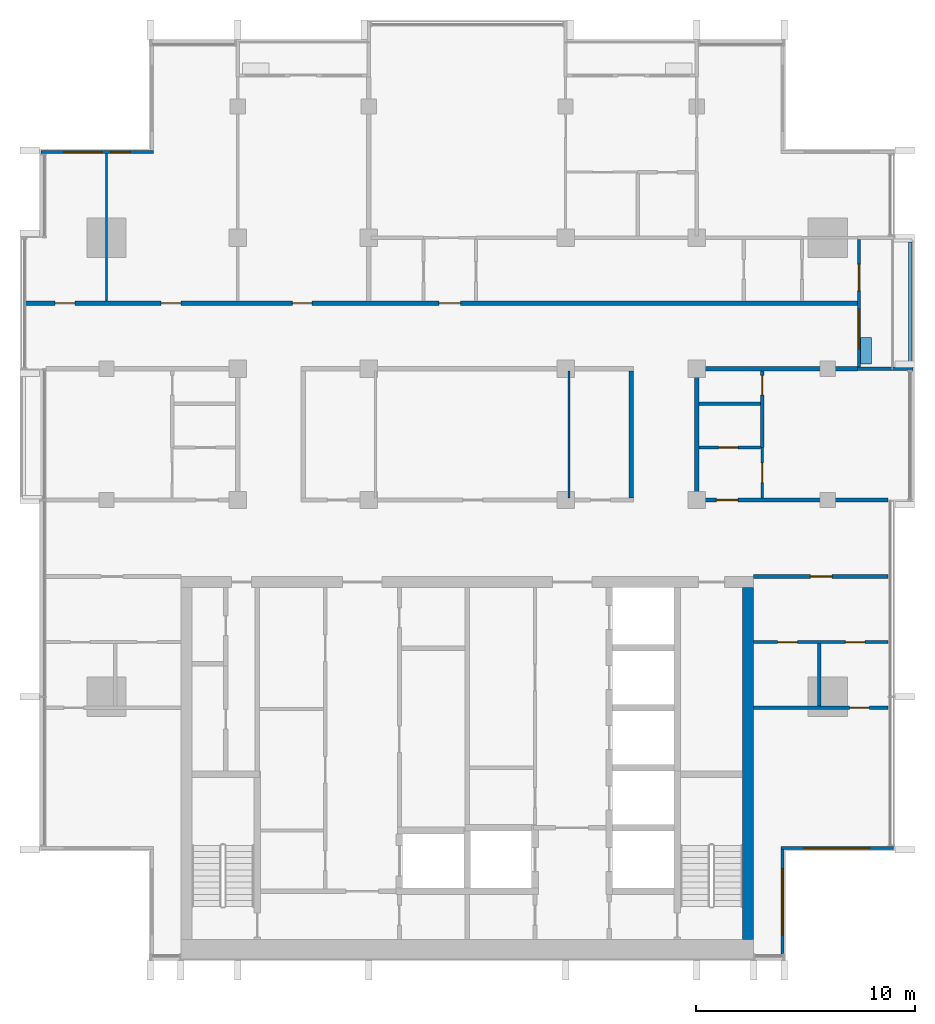
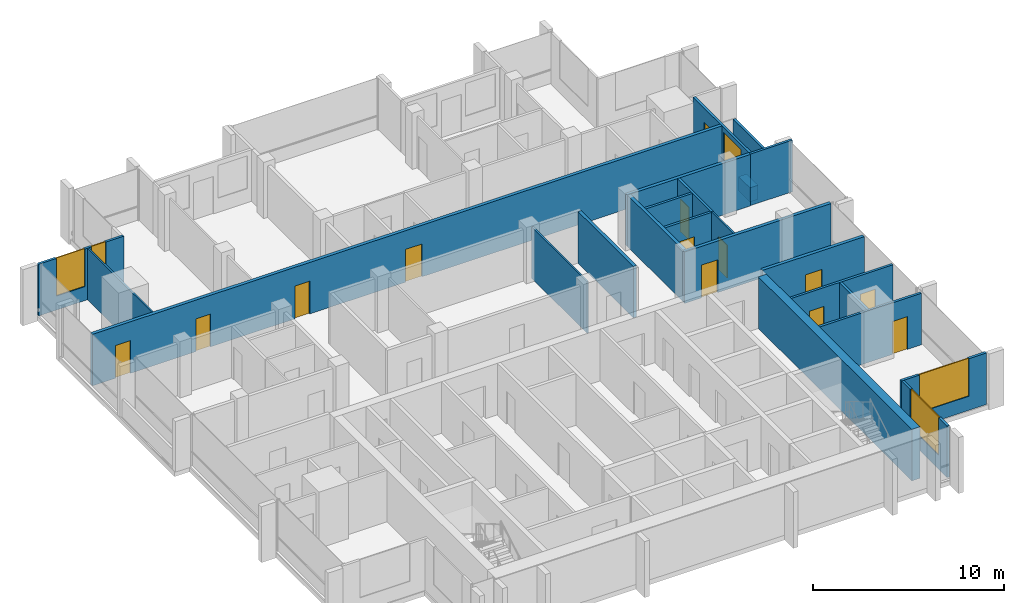
# One storey, part 9 of 16: 23 walls, 13 doors, 5 windows, 18 openings.
"""IFC4 building model written with IfcOpenShell, lengths in metres."""

import ifcopenshell
import ifcopenshell.guid

model = None  # the IFC model being written
_history = None  # IfcOwnerHistory: only IFC2X3 demands one
_inside = {}  # id of a spatial element -> (the spatial element, [elements in it])
_under = {}  # id of a project, library or spatial element -> (it, [spatial elements below it])
_declared = {}  # id of a project -> (the project, [libraries it declares])
_typed = {}  # id of a type object -> (the type object, [elements of that type])
_made_of = {}  # id of a material, layer set ... -> (it, [elements and type objects made of it])


def new_model(schema):
    """Start an empty IFC model of exactly this schema.

    Asked for "IFC4X3", IfcOpenShell would pick the latest addendum, in which some entities
    have other attributes; the version numbers below select the first issue.
    IFC2X3 requires an IfcOwnerHistory on every rooted entity: one is made here for all.
    """
    global model, _history
    if schema == "IFC4X3":
        model = ifcopenshell.file(schema_version=(4, 3, 0, 0))
    else:
        model = ifcopenshell.file(schema=schema)
    _inside.clear()
    _under.clear()
    _declared.clear()
    _typed.clear()
    _made_of.clear()
    _history = None
    if model.schema == "IFC2X3":
        org = make("IfcOrganization", Name="unknown")
        user = make(
            "IfcPersonAndOrganization",
            ThePerson=make("IfcPerson", FamilyName="unknown"),
            TheOrganization=org,
        )
        app = make(
            "IfcApplication",
            ApplicationDeveloper=org,
            Version="unknown",
            ApplicationFullName="unknown",
            ApplicationIdentifier="unknown",
        )
        _history = make(
            "IfcOwnerHistory",
            OwningUser=user,
            OwningApplication=app,
            ChangeAction="ADDED",
            CreationDate=0,
        )
    return model


def make(cls, **values):
    """One entity of the class cls with the attributes given. An attribute that is None is left unset."""
    return model.create_entity(
        cls, **{name: value for name, value in values.items() if value is not None}
    )


def rooted(cls, **values):
    """An entity with a GlobalId (a new one), such as an element, a storey or a relation."""
    return make(cls, GlobalId=ifcopenshell.guid.new(), OwnerHistory=_history, **values)


def si_unit(unit_type, name, prefix=None):
    """IfcSIUnit, for example si_unit("LENGTHUNIT", "METRE", prefix="MILLI")."""
    return make("IfcSIUnit", UnitType=unit_type, Prefix=prefix, Name=name)


def assignment(units):
    """IfcUnitAssignment: the units of a project."""
    return None if units is None else make("IfcUnitAssignment", Units=units)


def point(xyz):
    """IfcCartesianPoint."""
    return None if xyz is None else make("IfcCartesianPoint", Coordinates=xyz)


def direction(xyz):
    """IfcDirection."""
    return None if xyz is None else make("IfcDirection", DirectionRatios=xyz)


def frame(location, z_axis=None, x_axis=None):
    """IfcAxis2Placement3D, a coordinate frame: its origin and axes. An axis left out is left unset."""
    return make(
        "IfcAxis2Placement3D",
        Location=point(location),
        Axis=direction(z_axis),
        RefDirection=direction(x_axis),
    )


def frame_2d(location, x_axis=None):
    """IfcAxis2Placement2D, a coordinate frame in the plane: its origin and x axis."""
    return make(
        "IfcAxis2Placement2D", Location=point(location), RefDirection=direction(x_axis)
    )


def origin():
    """The frame at (0, 0, 0) with its axes left unset."""
    return frame((0.0, 0.0, 0.0))


def place(relative_to, where):
    """IfcLocalPlacement: puts the frame where relative to a parent placement (None: the world)."""
    return make(
        "IfcLocalPlacement", PlacementRelTo=relative_to, RelativePlacement=where
    )


def context(
    kind, dimensions, precision=None, world=None, true_north=None, identifier=None
):
    """IfcGeometricRepresentationContext, for example the 3D "Model" context."""
    return make(
        "IfcGeometricRepresentationContext",
        ContextIdentifier=identifier,
        ContextType=kind,
        CoordinateSpaceDimension=dimensions,
        Precision=precision,
        WorldCoordinateSystem=world,
        TrueNorth=true_north,
    )


def subcontext(parent, identifier, kind, view, scale=None):
    """IfcGeometricRepresentationSubContext, for example "Body" below "Model"."""
    return make(
        "IfcGeometricRepresentationSubContext",
        ContextIdentifier=identifier,
        ContextType=kind,
        ParentContext=parent,
        TargetScale=scale,
        TargetView=view,
    )


def project(units=None, contexts=None):
    """IfcProject with its units and contexts."""
    return rooted(
        "IfcProject",
        Name="project",
        RepresentationContexts=contexts,
        UnitsInContext=assignment(units),
    )


def spatial(cls, under=None, at=None, **own):
    """A site, building, storey or space (cls), placed at a placement, below another one or the project."""
    s = rooted(cls, ObjectPlacement=at, **own)
    if under is not None:
        _under.setdefault(under.id(), (under, []))[1].append(s)
    return s


def profile(cls, at=None, kind="AREA", **sizes):
    """A parametric profile (cls). Its sizes go by their IFC names, for example OverallWidth=200.0."""
    return make(cls, ProfileType=kind, Position=at, **sizes)


def rectangle(**sizes):
    """IfcRectangleProfileDef."""
    return profile("IfcRectangleProfileDef", **sizes)


def extrude(swept, where, along, depth):
    """IfcExtrudedAreaSolid: the profile swept, set in the frame where, extruded along a direction by depth."""
    return make(
        "IfcExtrudedAreaSolid",
        SweptArea=swept,
        Position=where,
        ExtrudedDirection=direction(along),
        Depth=depth,
    )


def shape(context_of_items, identifier, shape_type, items):
    """IfcShapeRepresentation: the items that make up one representation, for example the "Body"."""
    return make(
        "IfcShapeRepresentation",
        ContextOfItems=context_of_items,
        RepresentationIdentifier=identifier,
        RepresentationType=shape_type,
        Items=items,
    )


def material(Name=None, Category=None):
    """IfcMaterial."""
    return make("IfcMaterial", Name=Name, Category=Category)


def layer(
    of_material, thickness, ventilated=None, Name=None, Category=None, Priority=None
):
    """IfcMaterialLayer: one layer of a wall or slab, of a material (None: an air gap)."""
    return make(
        "IfcMaterialLayer",
        Material=of_material,
        LayerThickness=thickness,
        IsVentilated=ventilated,
        Name=Name,
        Category=Category,
        Priority=Priority,
    )


def layer_set(layers, Name=None):
    """IfcMaterialLayerSet."""
    return make("IfcMaterialLayerSet", MaterialLayers=layers, LayerSetName=Name)


def made_of(thing, what):
    """Note that an element or type object is made of a material, layer set ...; save() writes the relation."""
    if what is not None:
        _made_of.setdefault(what.id(), (what, []))[1].append(thing)
    return thing


def type_object(cls, material=None, **own):
    """A type object (cls), such as IfcWallType, which elements share."""
    return made_of(rooted(cls, **own), material)


def element(
    cls,
    number,
    at=None,
    inside=None,
    cuts=None,
    type_object=None,
    material=None,
    context=None,
    identifier="Body",
    shape_type=None,
    held_by="IfcProductDefinitionShape",
    body=None,
    shapes=None,
    **own,
):
    """One element of the class cls, such as IfcWall. Its Tag is "e" and its number.

    at: its placement. inside: the storey or other place that contains it. cuts: it is an
    opening in that element (IfcRelVoidsElement). A single representation is given by context,
    identifier, shape_type and body (its items); several are given by shapes. held_by: the class
    of the entity that holds the representations. save() writes the other relations.
    """
    e = rooted(cls, Tag="e%d" % number, ObjectPlacement=at, **own)
    if body is not None:
        shapes = [shape(context, identifier, shape_type, body)]
    if shapes is not None:
        e.Representation = make(held_by, Representations=shapes)
    if inside is not None:
        _inside.setdefault(inside.id(), (inside, []))[1].append(e)
    if cuts is not None:
        rooted(
            "IfcRelVoidsElement", RelatingBuildingElement=cuts, RelatedOpeningElement=e
        )
    if type_object is not None:
        _typed.setdefault(type_object.id(), (type_object, []))[1].append(e)
    return made_of(e, material)


def fill(opening, filler):
    """IfcRelFillsElement: the door or window that sits in an opening."""
    return rooted(
        "IfcRelFillsElement",
        RelatingOpeningElement=opening,
        RelatedBuildingElement=filler,
    )


def aggregate(whole, parts):
    """IfcRelAggregates: a whole, such as a stair, and the parts it consists of."""
    return rooted("IfcRelAggregates", RelatingObject=whole, RelatedObjects=parts)


def save(model, path):
    """Write the relations noted so far, then the file.

    IfcRelAggregates (storeys below a building ...), IfcRelContainedInSpatialStructure (elements
    in a storey), IfcRelDefinesByType, IfcRelAssociatesMaterial and IfcRelDeclares: one each for
    every whole, place, type object, material and project.
    """
    for whole, parts in _under.values():
        aggregate(whole, parts)
    for where, things in _inside.values():
        rooted(
            "IfcRelContainedInSpatialStructure",
            RelatedElements=things,
            RelatingStructure=where,
        )
    for kind, things in _typed.values():
        rooted("IfcRelDefinesByType", RelatedObjects=things, RelatingType=kind)
    for what, things in _made_of.values():
        rooted("IfcRelAssociatesMaterial", RelatedObjects=things, RelatingMaterial=what)
    for by, libraries in _declared.values():
        rooted("IfcRelDeclares", RelatingContext=by, RelatedDefinitions=libraries)
    model.write(path)


model = new_model("IFC4")

# Units and contexts
model_context = context("Model", 3, precision=1e-05, world=origin(), true_north=direction((0.0, 1.0)))
body_context = subcontext(model_context, "Body", "Model", "MODEL_VIEW")
ifc_project = project(units=[si_unit("LENGTHUNIT", "METRE"), si_unit("AREAUNIT", "SQUARE_METRE"), si_unit("VOLUMEUNIT", "CUBIC_METRE"), si_unit("PLANEANGLEUNIT", "RADIAN"), si_unit("MASSUNIT", "GRAM", prefix="KILO")], contexts=[model_context])

# Site, building, storey
site_placement = place(None, origin())
site = spatial("IfcSite", under=ifc_project, at=site_placement, CompositionType="ELEMENT")
building_placement = place(site_placement, origin())
building = spatial("IfcBuilding", under=site, at=building_placement, Name="Finial Court Residences", CompositionType="ELEMENT")
storey_placement = place(building_placement, frame((0.0, 0.0, 259.10009765625)))
storey = spatial("IfcBuildingStorey", under=building, at=storey_placement, Name="L65", CompositionType="ELEMENT", Elevation=259.10009765625)

# Wall
ifc_material_1 = material(Name="Concrete C50/60", Category="concrete")
ifc_layer_1 = layer(ifc_material_1, 0.5)
ifc_layer_set_1 = layer_set([ifc_layer_1], Name="Core outer wall 500 Concrete C50/60")
wall_type_1 = type_object("IfcWallType", Name="Core outer wall 500 Concrete C50/60", PredefinedType="SHEAR", material=ifc_layer_set_1)
wall_1_placement = place(storey_placement, frame((12.85009765625, -24.60009765625, 0.0), z_axis=(0.0, 0.0, 1.0), x_axis=(0.0, 1.0, 0.0)))
element("IfcWall", 1, at=wall_1_placement, inside=storey, type_object=wall_type_1, Name="Core outer wall L65-04", PredefinedType="SHEAR", context=body_context, shape_type="SweptSolid", body=[
    extrude(rectangle(XDim=16.10009765625, YDim=0.5, at=frame_2d((8.050048828125, 0.0))), origin(), (0.0, 0.0, 1.0), 3.2998046875),
])

# Wall, opening, door
ifc_material_2 = material(Name="Gypsum board")
ifc_layer_2 = layer(ifc_material_2, 0.02490234375)
ifc_material_3 = material(Name="Acoustic mineral wool in double frame")
ifc_layer_3 = layer(ifc_material_3, 0.14990234375)
ifc_layer_4 = layer(ifc_material_2, 0.02490234375)
ifc_layer_set_2 = layer_set([ifc_layer_2, ifc_layer_3, ifc_layer_4], Name="Corridor wall 200, 1 hour")
wall_type_2 = type_object("IfcWallType", Name="Corridor wall 200, 1 hour", PredefinedType="PARTITIONING", material=ifc_layer_set_2)
wall_2_placement = place(storey_placement, frame((13.10009765625, -8.0, 0.0), z_axis=(0.0, 0.0, 1.0), x_axis=(1.0, 0.0, 0.0)))
wall_2 = element("IfcWall", 2, at=wall_2_placement, inside=storey, type_object=wall_type_2, Name="Partition L65-005", PredefinedType="PARTITIONING", context=body_context, shape_type="SweptSolid", body=[
    extrude(rectangle(XDim=6.162353515625, YDim=0.199951171875, at=frame_2d((3.0810546875, 0.0))), origin(), (0.0, 0.0, 1.0), 3.2998046875),
])
opening_1_placement = place(wall_2_placement, frame((2.60009765625, 0.0, 0.0)))
opening_1 = element("IfcOpeningElement", 3, at=opening_1_placement, cuts=wall_2, Name="Opening L65-D008", PredefinedType="OPENING", context=body_context, shape_type="SweptSolid", body=[
    extrude(rectangle(XDim=1.0, YDim=2.10009765625, at=frame_2d((0.5, 1.050048828125))), frame((0.0, 0.10986328125, 0.0), z_axis=(0.0, -1.0, 0.0), x_axis=(1.0, 0.0, 0.0)), (0.0, 0.0, 1.0), 0.219970703125),
])
ifc_material_4 = material(Name="Timber door leaf in hollow metal frame", Category="wood")
door_type_1 = type_object("IfcDoorType", Name="Fire door set 1000 x 2100, 30 minutes", OperationType="SINGLE_SWING_LEFT", PredefinedType="DOOR", material=ifc_material_4)
door_1_placement = place(opening_1_placement, origin())
door_1 = element("IfcDoor", 4, at=door_1_placement, inside=storey, type_object=door_type_1, Name="Door L65-D008", OperationType="SINGLE_SWING_RIGHT", OverallHeight=2.10009765625, OverallWidth=1.0, PredefinedType="DOOR", context=body_context, shape_type="SweptSolid", body=[
    extrude(rectangle(XDim=1.0, YDim=2.10009765625, at=frame_2d((0.5, 1.050048828125))), frame((0.0, 0.02490234375, 0.0), z_axis=(0.0, -1.0, 0.0), x_axis=(1.0, 0.0, 0.0)), (0.0, 0.0, 1.0), 0.050048828125),
])
fill(opening_1, door_1)

wall_3_placement = place(storey_placement, frame((10.39990234375, -4.5, 0.0), z_axis=(0.0, 0.0, 1.0), x_axis=(1.0, 0.0, 0.0)))
wall_3 = element("IfcWall", 5, at=wall_3_placement, inside=storey, type_object=wall_type_2, Name="Partition L65-008", PredefinedType="PARTITIONING", context=body_context, shape_type="SweptSolid", body=[
    extrude(rectangle(XDim=8.862548828125, YDim=0.199951171875, at=frame_2d((4.43115234375, 0.0))), origin(), (0.0, 0.0, 1.0), 3.2998046875),
])
opening_2_placement = place(wall_3_placement, frame((1.0, 0.0, 0.0)))
opening_2 = element("IfcOpeningElement", 6, at=opening_2_placement, cuts=wall_3, Name="Opening L65-D013", PredefinedType="OPENING", context=body_context, shape_type="SweptSolid", body=[
    extrude(rectangle(XDim=1.0, YDim=2.10009765625, at=frame_2d((0.5, 1.050048828125))), frame((0.0, 0.10986328125, 0.0), z_axis=(0.0, -1.0, 0.0), x_axis=(1.0, 0.0, 0.0)), (0.0, 0.0, 1.0), 0.219970703125),
])
door_2_placement = place(opening_2_placement, origin())
door_2 = element("IfcDoor", 7, at=door_2_placement, inside=storey, type_object=door_type_1, Name="Door L65-D013", OperationType="SINGLE_SWING_RIGHT", OverallHeight=2.10009765625, OverallWidth=1.0, PredefinedType="DOOR", context=body_context, shape_type="SweptSolid", body=[
    extrude(rectangle(XDim=1.0, YDim=2.10009765625, at=frame_2d((0.5, 1.050048828125))), frame((0.0, 0.02490234375, 0.0), z_axis=(0.0, -1.0, 0.0), x_axis=(1.0, 0.0, 0.0)), (0.0, 0.0, 1.0), 0.050048828125),
])
fill(opening_2, door_2)

# Wall
wall_4_placement = place(storey_placement, frame((10.39990234375, 1.5, 0.0), z_axis=(0.0, 0.0, 1.0), x_axis=(1.0, 0.0, 0.0)))
element("IfcWall", 8, at=wall_4_placement, inside=storey, type_object=wall_type_2, Name="Partition L65-015", PredefinedType="PARTITIONING", context=body_context, shape_type="SweptSolid", body=[
    extrude(rectangle(XDim=7.4501953125, YDim=0.199951171875, at=frame_2d((3.72509765625, 0.0))), origin(), (0.0, 0.0, 1.0), 3.2998046875),
])

# Wall, openings, doors
wall_5_placement = place(storey_placement, frame((-20.25, 4.5, 0.0), z_axis=(0.0, 0.0, 1.0), x_axis=(1.0, 0.0, 0.0)))
wall_5 = element("IfcWall", 9, at=wall_5_placement, inside=storey, type_object=wall_type_2, Name="Partition L65-016", PredefinedType="PARTITIONING", context=body_context, shape_type="SweptSolid", body=[
    extrude(rectangle(XDim=38.10009765625, YDim=0.199951171875, at=frame_2d((19.050048828125, 0.0))), origin(), (0.0, 0.0, 1.0), 3.2998046875),
])
opening_3_placement = place(wall_5_placement, frame((1.39990234375, 0.0, 0.0)))
opening_3 = element("IfcOpeningElement", 10, at=opening_3_placement, cuts=wall_5, Name="Opening L65-D016", PredefinedType="OPENING", context=body_context, shape_type="SweptSolid", body=[
    extrude(rectangle(XDim=0.89990234375, YDim=2.10009765625, at=frame_2d((0.449951171875, 1.050048828125))), frame((0.0, 0.10986328125, 0.0), z_axis=(0.0, -1.0, 0.0), x_axis=(1.0, 0.0, 0.0)), (0.0, 0.0, 1.0), 0.219970703125),
])
opening_4_placement = place(wall_5_placement, frame((6.25, 0.0, 0.0)))
opening_4 = element("IfcOpeningElement", 11, at=opening_4_placement, cuts=wall_5, Name="Opening L65-D017", PredefinedType="OPENING", context=body_context, shape_type="SweptSolid", body=[
    extrude(rectangle(XDim=0.89990234375, YDim=2.10009765625, at=frame_2d((0.449951171875, 1.050048828125))), frame((0.0, 0.10986328125, 0.0), z_axis=(0.0, -1.0, 0.0), x_axis=(1.0, 0.0, 0.0)), (0.0, 0.0, 1.0), 0.219970703125),
])
opening_5_placement = place(wall_5_placement, frame((12.25, 0.0, 0.0)))
opening_5 = element("IfcOpeningElement", 12, at=opening_5_placement, cuts=wall_5, Name="Opening L65-D018", PredefinedType="OPENING", context=body_context, shape_type="SweptSolid", body=[
    extrude(rectangle(XDim=0.89990234375, YDim=2.10009765625, at=frame_2d((0.449951171875, 1.050048828125))), frame((0.0, 0.10986328125, 0.0), z_axis=(0.0, -1.0, 0.0), x_axis=(1.0, 0.0, 0.0)), (0.0, 0.0, 1.0), 0.219970703125),
])
opening_6_placement = place(wall_5_placement, frame((18.949951171875, 0.0, 0.0)))
opening_6 = element("IfcOpeningElement", 13, at=opening_6_placement, cuts=wall_5, Name="Opening L65-D019", PredefinedType="OPENING", context=body_context, shape_type="SweptSolid", body=[
    extrude(rectangle(XDim=1.0, YDim=2.10009765625, at=frame_2d((0.5, 1.050048828125))), frame((0.0, 0.10986328125, 0.0), z_axis=(0.0, -1.0, 0.0), x_axis=(1.0, 0.0, 0.0)), (0.0, 0.0, 1.0), 0.219970703125),
])
door_3_placement = place(opening_6_placement, origin())
door_3 = element("IfcDoor", 14, at=door_3_placement, inside=storey, type_object=door_type_1, Name="Door L65-D019", OperationType="SINGLE_SWING_LEFT", OverallHeight=2.10009765625, OverallWidth=1.0, PredefinedType="DOOR", context=body_context, shape_type="SweptSolid", body=[
    extrude(rectangle(XDim=1.0, YDim=2.10009765625, at=frame_2d((0.5, 1.050048828125))), frame((0.0, 0.02490234375, 0.0), z_axis=(0.0, -1.0, 0.0), x_axis=(1.0, 0.0, 0.0)), (0.0, 0.0, 1.0), 0.050048828125),
])
fill(opening_6, door_3)
door_type_2 = type_object("IfcDoorType", Name="Fire door set 900 x 2100, 30 minutes", OperationType="SINGLE_SWING_LEFT", PredefinedType="DOOR", material=ifc_material_4)
door_4_placement = place(opening_3_placement, origin())
door_4 = element("IfcDoor", 15, at=door_4_placement, inside=storey, type_object=door_type_2, Name="Door L65-D016", OperationType="SINGLE_SWING_RIGHT", OverallHeight=2.10009765625, OverallWidth=0.89990234375, PredefinedType="DOOR", context=body_context, shape_type="SweptSolid", body=[
    extrude(rectangle(XDim=0.89990234375, YDim=2.10009765625, at=frame_2d((0.449951171875, 1.050048828125))), frame((0.0, 0.02490234375, 0.0), z_axis=(0.0, -1.0, 0.0), x_axis=(1.0, 0.0, 0.0)), (0.0, 0.0, 1.0), 0.050048828125),
])
fill(opening_3, door_4)
door_5_placement = place(opening_4_placement, origin())
door_5 = element("IfcDoor", 16, at=door_5_placement, inside=storey, type_object=door_type_2, Name="Door L65-D017", OperationType="SINGLE_SWING_RIGHT", OverallHeight=2.10009765625, OverallWidth=0.89990234375, PredefinedType="DOOR", context=body_context, shape_type="SweptSolid", body=[
    extrude(rectangle(XDim=0.89990234375, YDim=2.10009765625, at=frame_2d((0.449951171875, 1.050048828125))), frame((0.0, 0.02490234375, 0.0), z_axis=(0.0, -1.0, 0.0), x_axis=(1.0, 0.0, 0.0)), (0.0, 0.0, 1.0), 0.050048828125),
])
fill(opening_4, door_5)
door_6_placement = place(opening_5_placement, origin())
door_6 = element("IfcDoor", 17, at=door_6_placement, inside=storey, type_object=door_type_2, Name="Door L65-D018", OperationType="SINGLE_SWING_RIGHT", OverallHeight=2.10009765625, OverallWidth=0.89990234375, PredefinedType="DOOR", context=body_context, shape_type="SweptSolid", body=[
    extrude(rectangle(XDim=0.89990234375, YDim=2.10009765625, at=frame_2d((0.449951171875, 1.050048828125))), frame((0.0, 0.02490234375, 0.0), z_axis=(0.0, -1.0, 0.0), x_axis=(1.0, 0.0, 0.0)), (0.0, 0.0, 1.0), 0.050048828125),
])
fill(opening_5, door_6)

# Walls
for number, where, z_axis, x_axis, name in (
    (18, (7.5, -4.39990234375, 0.0), (0.0, 0.0, 1.0), (0.0, 1.0, 0.0), "Partition L65-036"),
    (19, (10.5, -4.39990234375, 0.0), (0.0, 0.0, 1.0), (0.0, 1.0, 0.0), "Partition L65-038"),
):
    element("IfcWall", number, at=place(storey_placement, frame(where, z_axis=z_axis, x_axis=x_axis)), inside=storey, type_object=wall_type_2, Name=name, PredefinedType="PARTITIONING", context=body_context, shape_type="SweptSolid", body=[
        extrude(rectangle(XDim=5.7998046875, YDim=0.199951171875, at=frame_2d((2.89990234375, 0.0))), origin(), (0.0, 0.0, 1.0), 3.2998046875),
    ])
ifc_layer_5 = layer(ifc_material_2, 0.012451171875)
ifc_material_5 = material(Name="Mineral wool in light-gauge frame")
ifc_layer_6 = layer(ifc_material_5, 0.074951171875)
ifc_layer_7 = layer(ifc_material_2, 0.012451171875)
ifc_layer_set_3 = layer_set([ifc_layer_5, ifc_layer_6, ifc_layer_7], Name="Gypsum board partition 100")
wall_type_3 = type_object("IfcWallType", Name="Gypsum board partition 100", PredefinedType="PARTITIONING", material=ifc_layer_set_3)
wall_6_placement = place(storey_placement, frame((-16.5, 4.60009765625, 0.0), z_axis=(0.0, 0.0, 1.0), x_axis=(0.0, 1.0, 0.0)))
element("IfcWall", 20, at=wall_6_placement, inside=storey, type_object=wall_type_3, Name="Partition L65-023", PredefinedType="PARTITIONING", context=body_context, shape_type="SweptSolid", body=[
    extrude(rectangle(XDim=6.75, YDim=0.10009765625, at=frame_2d((3.375, 0.0))), origin(), (0.0, 0.0, 1.0), 3.2998046875),
])
wall_7_placement = place(storey_placement, frame((4.64990234375, -4.39990234375, 0.0), z_axis=(0.0, 0.0, 1.0), x_axis=(0.0, 1.0, 0.0)))
element("IfcWall", 21, at=wall_7_placement, inside=storey, type_object=wall_type_3, Name="Partition L65-035", PredefinedType="PARTITIONING", context=body_context, shape_type="SweptSolid", body=[
    extrude(rectangle(XDim=5.7998046875, YDim=0.10009765625, at=frame_2d((2.89990234375, 0.0))), origin(), (0.0, 0.0, 1.0), 3.2998046875),
])

# Wall, opening, door
wall_8_placement = place(storey_placement, frame((13.5, -4.39990234375, 0.0), z_axis=(0.0, 0.0, 1.0), x_axis=(0.0, 1.0, 0.0)))
wall_8 = element("IfcWall", 22, at=wall_8_placement, inside=storey, type_object=wall_type_3, Name="Partition L65-042", PredefinedType="PARTITIONING", context=body_context, shape_type="SweptSolid", body=[
    extrude(rectangle(XDim=2.2998046875, YDim=0.10009765625, at=frame_2d((1.14990234375, 0.0))), origin(), (0.0, 0.0, 1.0), 3.2998046875),
])
opening_7_placement = place(wall_8_placement, frame((0.699951171875, 0.0, 0.0)))
opening_7 = element("IfcOpeningElement", 23, at=opening_7_placement, cuts=wall_8, Name="Opening L65-D030", PredefinedType="OPENING", context=body_context, shape_type="SweptSolid", body=[
    extrude(rectangle(XDim=0.89990234375, YDim=2.10009765625, at=frame_2d((0.449951171875, 1.050048828125))), frame((0.0, 0.06005859375, 0.0), z_axis=(0.0, -1.0, 0.0), x_axis=(1.0, 0.0, 0.0)), (0.0, 0.0, 1.0), 0.1201171875),
])
ifc_material_6 = material(Name="Timber door leaf in timber frame", Category="wood")
door_type_3 = type_object("IfcDoorType", Name="Door set 900 x 2100", OperationType="SINGLE_SWING_LEFT", PredefinedType="DOOR", material=ifc_material_6)
door_7_placement = place(opening_7_placement, origin())
door_7 = element("IfcDoor", 24, at=door_7_placement, inside=storey, type_object=door_type_3, Name="Door L65-D030", OperationType="SINGLE_SWING_RIGHT", OverallHeight=2.10009765625, OverallWidth=0.89990234375, PredefinedType="DOOR", context=body_context, shape_type="SweptSolid", body=[
    extrude(rectangle(XDim=0.89990234375, YDim=2.10009765625, at=frame_2d((0.449951171875, 1.050048828125))), frame((0.0, 0.02490234375, 0.0), z_axis=(0.0, -1.0, 0.0), x_axis=(1.0, 0.0, 0.0)), (0.0, 0.0, 1.0), 0.050048828125),
])
fill(opening_7, door_7)

ifc_material_7 = material(Name="Moisture-resistant gypsum board")
ifc_layer_8 = layer(ifc_material_7, 0.012451171875)
ifc_layer_9 = layer(ifc_material_5, 0.125)
ifc_layer_10 = layer(ifc_material_7, 0.012451171875)
ifc_layer_set_4 = layer_set([ifc_layer_8, ifc_layer_9, ifc_layer_10], Name="Gypsum board wet-area partition 150")
wall_type_4 = type_object("IfcWallType", Name="Gypsum board wet-area partition 150", PredefinedType="PARTITIONING", material=ifc_layer_set_4)
wall_9_placement = place(storey_placement, frame((13.10009765625, -14.0, 0.0), z_axis=(0.0, 0.0, 1.0), x_axis=(1.0, 0.0, 0.0)))
wall_9 = element("IfcWall", 25, at=wall_9_placement, inside=storey, type_object=wall_type_4, Name="Partition L65-001", PredefinedType="PARTITIONING", context=body_context, shape_type="SweptSolid", body=[
    extrude(rectangle(XDim=6.162353515625, YDim=0.14990234375, at=frame_2d((3.0810546875, 0.0))), origin(), (0.0, 0.0, 1.0), 3.2998046875),
])
opening_8_placement = place(wall_9_placement, frame((4.39990234375, 0.0, 0.0)))
opening_8 = element("IfcOpeningElement", 26, at=opening_8_placement, cuts=wall_9, Name="Opening L65-D002", PredefinedType="OPENING", context=body_context, shape_type="SweptSolid", body=[
    extrude(rectangle(XDim=0.89990234375, YDim=2.10009765625, at=frame_2d((0.449951171875, 1.050048828125))), frame((0.0, 0.0849609375, 0.0), z_axis=(0.0, -1.0, 0.0), x_axis=(1.0, 0.0, 0.0)), (0.0, 0.0, 1.0), 0.169921875),
])
door_8_placement = place(opening_8_placement, origin())
door_8 = element("IfcDoor", 27, at=door_8_placement, inside=storey, type_object=door_type_3, Name="Door L65-D002", OperationType="SINGLE_SWING_RIGHT", OverallHeight=2.10009765625, OverallWidth=0.89990234375, PredefinedType="DOOR", context=body_context, shape_type="SweptSolid", body=[
    extrude(rectangle(XDim=0.89990234375, YDim=2.10009765625, at=frame_2d((0.449951171875, 1.050048828125))), frame((0.0, 0.02490234375, 0.0), z_axis=(0.0, -1.0, 0.0), x_axis=(1.0, 0.0, 0.0)), (0.0, 0.0, 1.0), 0.050048828125),
])
fill(opening_8, door_8)

# Wall, openings, doors
wall_10_placement = place(storey_placement, frame((13.10009765625, -11.0, 0.0), z_axis=(0.0, 0.0, 1.0), x_axis=(1.0, 0.0, 0.0)))
wall_10 = element("IfcWall", 28, at=wall_10_placement, inside=storey, type_object=wall_type_4, Name="Partition L65-003", PredefinedType="PARTITIONING", context=body_context, shape_type="SweptSolid", body=[
    extrude(rectangle(XDim=6.162353515625, YDim=0.14990234375, at=frame_2d((3.0810546875, 0.0))), origin(), (0.0, 0.0, 1.0), 3.2998046875),
])
opening_9_placement = place(wall_10_placement, frame((1.10009765625, 0.0, 0.0)))
opening_9 = element("IfcOpeningElement", 29, at=opening_9_placement, cuts=wall_10, Name="Opening L65-D005", PredefinedType="OPENING", context=body_context, shape_type="SweptSolid", body=[
    extrude(rectangle(XDim=0.89990234375, YDim=2.10009765625, at=frame_2d((0.449951171875, 1.050048828125))), frame((0.0, 0.0849609375, 0.0), z_axis=(0.0, -1.0, 0.0), x_axis=(1.0, 0.0, 0.0)), (0.0, 0.0, 1.0), 0.169921875),
])
opening_10_placement = place(wall_10_placement, frame((4.199951171875, 0.0, 0.0)))
opening_10 = element("IfcOpeningElement", 30, at=opening_10_placement, cuts=wall_10, Name="Opening L65-D006", PredefinedType="OPENING", context=body_context, shape_type="SweptSolid", body=[
    extrude(rectangle(XDim=0.89990234375, YDim=2.10009765625, at=frame_2d((0.449951171875, 1.050048828125))), frame((0.0, 0.0849609375, 0.0), z_axis=(0.0, -1.0, 0.0), x_axis=(1.0, 0.0, 0.0)), (0.0, 0.0, 1.0), 0.169921875),
])
door_9_placement = place(opening_9_placement, origin())
door_9 = element("IfcDoor", 31, at=door_9_placement, inside=storey, type_object=door_type_3, Name="Door L65-D005", OperationType="SINGLE_SWING_LEFT", OverallHeight=2.10009765625, OverallWidth=0.89990234375, PredefinedType="DOOR", context=body_context, shape_type="SweptSolid", body=[
    extrude(rectangle(XDim=0.89990234375, YDim=2.10009765625, at=frame_2d((0.449951171875, 1.050048828125))), frame((0.0, 0.02490234375, 0.0), z_axis=(0.0, -1.0, 0.0), x_axis=(1.0, 0.0, 0.0)), (0.0, 0.0, 1.0), 0.050048828125),
])
fill(opening_9, door_9)
door_10_placement = place(opening_10_placement, origin())
door_10 = element("IfcDoor", 32, at=door_10_placement, inside=storey, type_object=door_type_3, Name="Door L65-D006", OperationType="SINGLE_SWING_RIGHT", OverallHeight=2.10009765625, OverallWidth=0.89990234375, PredefinedType="DOOR", context=body_context, shape_type="SweptSolid", body=[
    extrude(rectangle(XDim=0.89990234375, YDim=2.10009765625, at=frame_2d((0.449951171875, 1.050048828125))), frame((0.0, 0.02490234375, 0.0), z_axis=(0.0, -1.0, 0.0), x_axis=(1.0, 0.0, 0.0)), (0.0, 0.0, 1.0), 0.050048828125),
])
fill(opening_10, door_10)

# Wall, opening, door
wall_11_placement = place(storey_placement, frame((10.60009765625, -2.10009765625, 0.0), z_axis=(0.0, 0.0, 1.0), x_axis=(1.0, 0.0, 0.0)))
wall_11 = element("IfcWall", 33, at=wall_11_placement, inside=storey, type_object=wall_type_4, Name="Partition L65-010", PredefinedType="PARTITIONING", context=body_context, shape_type="SweptSolid", body=[
    extrude(rectangle(XDim=2.824951171875, YDim=0.14990234375, at=frame_2d((1.41259765625, 0.0))), origin(), (0.0, 0.0, 1.0), 3.2998046875),
])
opening_11_placement = place(wall_11_placement, frame((0.89990234375, 0.0, 0.0)))
opening_11 = element("IfcOpeningElement", 34, at=opening_11_placement, cuts=wall_11, Name="Opening L65-D015", PredefinedType="OPENING", context=body_context, shape_type="SweptSolid", body=[
    extrude(rectangle(XDim=0.89990234375, YDim=2.10009765625, at=frame_2d((0.449951171875, 1.050048828125))), frame((0.0, 0.0849609375, 0.0), z_axis=(0.0, -1.0, 0.0), x_axis=(1.0, 0.0, 0.0)), (0.0, 0.0, 1.0), 0.169921875),
])
door_11_placement = place(opening_11_placement, origin())
door_11 = element("IfcDoor", 35, at=door_11_placement, inside=storey, type_object=door_type_3, Name="Door L65-D015", OperationType="SINGLE_SWING_LEFT", OverallHeight=2.10009765625, OverallWidth=0.89990234375, PredefinedType="DOOR", context=body_context, shape_type="SweptSolid", body=[
    extrude(rectangle(XDim=0.89990234375, YDim=2.10009765625, at=frame_2d((0.449951171875, 1.050048828125))), frame((0.0, 0.02490234375, 0.0), z_axis=(0.0, -1.0, 0.0), x_axis=(1.0, 0.0, 0.0)), (0.0, 0.0, 1.0), 0.050048828125),
])
fill(opening_11, door_11)

# Wall
wall_12_placement = place(storey_placement, frame((10.60009765625, -0.10009765625, 0.0), z_axis=(0.0, 0.0, 1.0), x_axis=(1.0, 0.0, 0.0)))
element("IfcWall", 36, at=wall_12_placement, inside=storey, type_object=wall_type_4, Name="Partition L65-012", PredefinedType="PARTITIONING", context=body_context, shape_type="SweptSolid", body=[
    extrude(rectangle(XDim=2.824951171875, YDim=0.14990234375, at=frame_2d((1.41259765625, 0.0))), origin(), (0.0, 0.0, 1.0), 3.2998046875),
])

# Wall, opening, door
wall_13_placement = place(storey_placement, frame((13.5, -2.10009765625, 0.0), z_axis=(0.0, 0.0, 1.0), x_axis=(0.0, 1.0, 0.0)))
wall_13 = element("IfcWall", 37, at=wall_13_placement, inside=storey, type_object=wall_type_4, Name="Partition L65-043", PredefinedType="PARTITIONING", context=body_context, shape_type="SweptSolid", body=[
    extrude(rectangle(XDim=3.5, YDim=0.14990234375, at=frame_2d((1.75, 0.0))), origin(), (0.0, 0.0, 1.0), 3.2998046875),
])
opening_12_placement = place(wall_13_placement, frame((2.39990234375, 0.0, 0.0)))
opening_12 = element("IfcOpeningElement", 38, at=opening_12_placement, cuts=wall_13, Name="Opening L65-D031", PredefinedType="OPENING", context=body_context, shape_type="SweptSolid", body=[
    extrude(rectangle(XDim=0.89990234375, YDim=2.10009765625, at=frame_2d((0.449951171875, 1.050048828125))), frame((0.0, 0.0849609375, 0.0), z_axis=(0.0, -1.0, 0.0), x_axis=(1.0, 0.0, 0.0)), (0.0, 0.0, 1.0), 0.169921875),
])
door_12_placement = place(opening_12_placement, origin())
door_12 = element("IfcDoor", 39, at=door_12_placement, inside=storey, type_object=door_type_3, Name="Door L65-D031", OperationType="SINGLE_SWING_LEFT", OverallHeight=2.10009765625, OverallWidth=0.89990234375, PredefinedType="DOOR", context=body_context, shape_type="SweptSolid", body=[
    extrude(rectangle(XDim=0.89990234375, YDim=2.10009765625, at=frame_2d((0.449951171875, 1.050048828125))), frame((0.0, 0.02490234375, 0.0), z_axis=(0.0, -1.0, 0.0), x_axis=(1.0, 0.0, 0.0)), (0.0, 0.0, 1.0), 0.050048828125),
])
fill(opening_12, door_12)

# Walls
wall_14_placement = place(storey_placement, frame((16.10009765625, -13.925048828125, 0.0), z_axis=(0.0, 0.0, 1.0), x_axis=(0.0, 1.0, 0.0)))
element("IfcWall", 40, at=wall_14_placement, inside=storey, type_object=wall_type_4, Name="Partition L65-045", PredefinedType="PARTITIONING", context=body_context, shape_type="SweptSolid", body=[
    extrude(rectangle(XDim=2.85009765625, YDim=0.14990234375, at=frame_2d((1.425048828125, 0.0))), origin(), (0.0, 0.0, 1.0), 3.2998046875),
])
ifc_material_8 = material(Name="Concrete C35/45", Category="concrete")
ifc_layer_11 = layer(ifc_material_8, 0.14990234375)
ifc_layer_set_5 = layer_set([ifc_layer_11], Name="Ledge parapet, Concrete C35/45 150")
wall_type_5 = type_object("IfcWallType", Name="Ledge parapet, Concrete C35/45 150", PredefinedType="PARAPET", material=ifc_layer_set_5)
wall_15_placement = place(storey_placement, frame((20.27490234375, 7.300048828125, 0.0), z_axis=(0.0, 0.0, 1.0), x_axis=(0.0, -1.0, 0.0)))
element("IfcWall", 41, at=wall_15_placement, inside=storey, type_object=wall_type_5, Name="E-L65-LED2-P2", PredefinedType="PARAPET", context=body_context, shape_type="SweptSolid", body=[
    extrude(rectangle(XDim=5.7900390625, YDim=0.14990234375, at=frame_2d((2.89501953125, 0.0))), origin(), (0.0, 0.0, 1.0), 1.14990234375),
])

# Wall, opening, window
ifc_material_9 = material(Name="Natural limestone", Category="masonry")
ifc_layer_12 = layer(ifc_material_9, 0.14990234375)
ifc_layer_set_6 = layer_set([ifc_layer_12], Name="Limestone clad wall 150")
wall_type_6 = type_object("IfcWallType", Name="Limestone clad wall 150", PredefinedType="SOLIDWALL", material=ifc_layer_set_6)
wall_16_placement = place(storey_placement, frame((14.425048828125, -20.5, 0.0), z_axis=(0.0, 0.0, 1.0), x_axis=(0.0, -1.0, 0.0)))
wall_16 = element("IfcWall", 42, at=wall_16_placement, inside=storey, type_object=wall_type_6, Name="E-L65-NWE14", PredefinedType="SOLIDWALL", context=body_context, shape_type="SweptSolid", body=[
    extrude(rectangle(XDim=4.762451171875, YDim=0.14990234375, at=frame_2d((2.38134765625, 0.0))), origin(), (0.0, 0.0, 1.0), 3.2998046875),
])
opening_13_placement = place(wall_16_placement, frame((0.88134765625, 0.0, 0.89990234375)))
opening_13 = element("IfcOpeningElement", 43, at=opening_13_placement, cuts=wall_16, Name="Opening WE65-03", PredefinedType="OPENING", context=body_context, shape_type="SweptSolid", body=[
    extrude(rectangle(XDim=3.0, YDim=2.39990234375, at=frame_2d((1.5, 1.199951171875))), frame((0.0, 0.0849609375, 0.0), z_axis=(0.0, -1.0, 0.0), x_axis=(1.0, 0.0, 0.0)), (0.0, 0.0, 1.0), 0.169921875),
])
ifc_material_10 = material(Name="Clear low-e glass", Category="glass")
window_type_1 = type_object("IfcWindowType", Name="Corner window 3000 x 2400", PartitioningType="SINGLE_PANEL", PredefinedType="WINDOW", material=ifc_material_10)
window_1_placement = place(opening_13_placement, origin())
window_1 = element("IfcWindow", 44, at=window_1_placement, inside=storey, type_object=window_type_1, Name="E-L65-NWE14-W1", OverallHeight=2.39990234375, OverallWidth=3.0, PartitioningType="SINGLE_PANEL", PredefinedType="WINDOW", context=body_context, shape_type="SweptSolid", body=[
    extrude(rectangle(XDim=3.0, YDim=2.39990234375, at=frame_2d((1.5, 1.199951171875))), frame((0.0, 0.030029296875, 0.0), z_axis=(0.0, -1.0, 0.0), x_axis=(1.0, 0.0, 0.0)), (0.0, 0.0, 1.0), 0.06005859375),
])
fill(opening_13, window_1)

wall_17_placement = place(storey_placement, frame((19.5, -20.425048828125, 0.0), z_axis=(0.0, 0.0, 1.0), x_axis=(-1.0, 0.0, 0.0)))
wall_17 = element("IfcWall", 45, at=wall_17_placement, inside=storey, type_object=wall_type_6, Name="E-L65-NWS15", PredefinedType="SOLIDWALL", context=body_context, shape_type="SweptSolid", body=[
    extrude(rectangle(XDim=5.14990234375, YDim=0.14990234375, at=frame_2d((2.574951171875, 0.0))), origin(), (0.0, 0.0, 1.0), 3.2998046875),
])
opening_14_placement = place(wall_17_placement, frame((1.074951171875, 0.0, 0.89990234375)))
opening_14 = element("IfcOpeningElement", 46, at=opening_14_placement, cuts=wall_17, Name="Opening WE65-04", PredefinedType="OPENING", context=body_context, shape_type="SweptSolid", body=[
    extrude(rectangle(XDim=3.0, YDim=2.39990234375, at=frame_2d((1.5, 1.199951171875))), frame((0.0, 0.0849609375, 0.0), z_axis=(0.0, -1.0, 0.0), x_axis=(1.0, 0.0, 0.0)), (0.0, 0.0, 1.0), 0.169921875),
])
window_2_placement = place(opening_14_placement, origin())
window_2 = element("IfcWindow", 47, at=window_2_placement, inside=storey, type_object=window_type_1, Name="E-L65-NWS15-W1", OverallHeight=2.39990234375, OverallWidth=3.0, PartitioningType="SINGLE_PANEL", PredefinedType="WINDOW", context=body_context, shape_type="SweptSolid", body=[
    extrude(rectangle(XDim=3.0, YDim=2.39990234375, at=frame_2d((1.5, 1.199951171875))), frame((0.0, 0.030029296875, 0.0), z_axis=(0.0, -1.0, 0.0), x_axis=(1.0, 0.0, 0.0)), (0.0, 0.0, 1.0), 0.06005859375),
])
fill(opening_14, window_2)

# Wall, openings, windows
wall_18_placement = place(storey_placement, frame((-19.5, 11.425048828125, 0.0), z_axis=(0.0, 0.0, 1.0), x_axis=(1.0, 0.0, 0.0)))
wall_18 = element("IfcWall", 48, at=wall_18_placement, inside=storey, type_object=wall_type_6, Name="E-L65-NWN17", PredefinedType="SOLIDWALL", context=body_context, shape_type="SweptSolid", body=[
    extrude(rectangle(XDim=5.14990234375, YDim=0.14990234375, at=frame_2d((2.574951171875, 0.0))), origin(), (0.0, 0.0, 1.0), 3.2998046875),
])
opening_15_placement = place(wall_18_placement, frame((1.074951171875, 0.0, 0.89990234375)))
opening_15 = element("IfcOpeningElement", 49, at=opening_15_placement, cuts=wall_18, Name="Opening WE65-06", PredefinedType="OPENING", context=body_context, shape_type="SweptSolid", body=[
    extrude(rectangle(XDim=1.72509765625, YDim=2.39990234375, at=frame_2d((0.862548828125, 1.199951171875))), frame((0.0, 0.0849609375, 0.0), z_axis=(0.0, -1.0, 0.0), x_axis=(1.0, 0.0, 0.0)), (0.0, 0.0, 1.0), 0.169921875),
])
opening_16_placement = place(wall_18_placement, frame((3.199951171875, 0.0, 0.89990234375)))
opening_16 = element("IfcOpeningElement", 50, at=opening_16_placement, cuts=wall_18, Name="Opening WE65-07", PredefinedType="OPENING", context=body_context, shape_type="SweptSolid", body=[
    extrude(rectangle(XDim=0.875, YDim=2.39990234375, at=frame_2d((0.4375, 1.199951171875))), frame((0.0, 0.0849609375, 0.0), z_axis=(0.0, -1.0, 0.0), x_axis=(1.0, 0.0, 0.0)), (0.0, 0.0, 1.0), 0.169921875),
])
window_type_2 = type_object("IfcWindowType", Name="Corner window 1725 x 2400", PartitioningType="SINGLE_PANEL", PredefinedType="WINDOW", material=ifc_material_10)
window_3_placement = place(opening_15_placement, origin())
window_3 = element("IfcWindow", 51, at=window_3_placement, inside=storey, type_object=window_type_2, Name="E-L65-NWN17-W1", OverallHeight=2.39990234375, OverallWidth=1.72509765625, PartitioningType="SINGLE_PANEL", PredefinedType="WINDOW", context=body_context, shape_type="SweptSolid", body=[
    extrude(rectangle(XDim=1.72509765625, YDim=2.39990234375, at=frame_2d((0.862548828125, 1.199951171875))), frame((0.0, 0.030029296875, 0.0), z_axis=(0.0, -1.0, 0.0), x_axis=(1.0, 0.0, 0.0)), (0.0, 0.0, 1.0), 0.06005859375),
])
fill(opening_15, window_3)
window_type_3 = type_object("IfcWindowType", Name="Corner window 875 x 2400", PartitioningType="SINGLE_PANEL", PredefinedType="WINDOW", material=ifc_material_10)
window_4_placement = place(opening_16_placement, origin())
window_4 = element("IfcWindow", 52, at=window_4_placement, inside=storey, type_object=window_type_3, Name="E-L65-NWN17-W2", OverallHeight=2.39990234375, OverallWidth=0.875, PartitioningType="SINGLE_PANEL", PredefinedType="WINDOW", context=body_context, shape_type="SweptSolid", body=[
    extrude(rectangle(XDim=0.875, YDim=2.39990234375, at=frame_2d((0.4375, 1.199951171875))), frame((0.0, 0.030029296875, 0.0), z_axis=(0.0, -1.0, 0.0), x_axis=(1.0, 0.0, 0.0)), (0.0, 0.0, 1.0), 0.06005859375),
])
fill(opening_16, window_4)

# Wall
wall_19_placement = place(storey_placement, frame((17.85009765625, 1.5, 0.0), z_axis=(0.0, 0.0, 1.0), x_axis=(1.0, 0.0, 0.0)))
element("IfcWall", 53, at=wall_19_placement, inside=storey, type_object=wall_type_6, Name="E-L65-BALE4-P1", PredefinedType="SOLIDWALL", context=body_context, shape_type="SweptSolid", body=[
    extrude(rectangle(XDim=2.5498046875, YDim=0.14990234375, at=frame_2d((1.27490234375, 0.0))), origin(), (0.0, 0.0, 1.0), 3.2998046875),
])

# Wall, openings, door, window
wall_20_placement = place(storey_placement, frame((17.925048828125, 7.425048828125, 0.0), z_axis=(0.0, 0.0, 1.0), x_axis=(0.0, -1.0, 0.0)))
wall_20 = element("IfcWall", 54, at=wall_20_placement, inside=storey, type_object=wall_type_6, Name="E-L65-L65-BALE4-W", PredefinedType="SOLIDWALL", context=body_context, shape_type="SweptSolid", body=[
    extrude(rectangle(XDim=5.85009765625, YDim=0.14990234375, at=frame_2d((2.925048828125, 0.0))), origin(), (0.0, 0.0, 1.0), 3.2998046875),
])
opening_17_placement = place(wall_20_placement, frame((1.14990234375, 0.0, 0.0)))
opening_17 = element("IfcOpeningElement", 55, at=opening_17_placement, cuts=wall_20, Name="Opening DE65-03", PredefinedType="OPENING", context=body_context, shape_type="SweptSolid", body=[
    extrude(rectangle(XDim=1.199951171875, YDim=2.39990234375, at=frame_2d((0.60009765625, 1.199951171875))), frame((0.0, 0.0849609375, 0.0), z_axis=(0.0, -1.0, 0.0), x_axis=(1.0, 0.0, 0.0)), (0.0, 0.0, 1.0), 0.169921875),
])
opening_18_placement = place(wall_20_placement, frame((3.199951171875, 0.0, 0.89990234375)))
opening_18 = element("IfcOpeningElement", 56, at=opening_18_placement, cuts=wall_20, Name="Opening WE65-14", PredefinedType="OPENING", context=body_context, shape_type="SweptSolid", body=[
    extrude(rectangle(XDim=1.800048828125, YDim=2.10009765625, at=frame_2d((0.89990234375, 1.050048828125))), frame((0.0, 0.0849609375, 0.0), z_axis=(0.0, -1.0, 0.0), x_axis=(1.0, 0.0, 0.0)), (0.0, 0.0, 1.0), 0.169921875),
])
ifc_material_11 = material(Name="Bronze anodised aluminium", Category="aluminium")
door_type_4 = type_object("IfcDoorType", Name="Balcony door 1200 x 2400", OperationType="SINGLE_SWING_LEFT", PredefinedType="DOOR", material=ifc_material_11)
door_13_placement = place(opening_17_placement, origin())
door_13 = element("IfcDoor", 57, at=door_13_placement, inside=storey, type_object=door_type_4, Name="E-L65-L65-BALE4-W-D", OperationType="SINGLE_SWING_RIGHT", OverallHeight=2.39990234375, OverallWidth=1.199951171875, PredefinedType="DOOR", context=body_context, shape_type="SweptSolid", body=[
    extrude(rectangle(XDim=1.199951171875, YDim=2.39990234375, at=frame_2d((0.60009765625, 1.199951171875))), frame((0.0, 0.02490234375, 0.0), z_axis=(0.0, -1.0, 0.0), x_axis=(1.0, 0.0, 0.0)), (0.0, 0.0, 1.0), 0.050048828125),
])
fill(opening_17, door_13)
window_type_4 = type_object("IfcWindowType", Name="Balcony window 1800 x 2100", PartitioningType="SINGLE_PANEL", PredefinedType="WINDOW", material=ifc_material_10)
window_5_placement = place(opening_18_placement, origin())
window_5 = element("IfcWindow", 58, at=window_5_placement, inside=storey, type_object=window_type_4, Name="E-L65-L65-BALE4-W-W1", OverallHeight=2.10009765625, OverallWidth=1.800048828125, PartitioningType="SINGLE_PANEL", PredefinedType="WINDOW", context=body_context, shape_type="SweptSolid", body=[
    extrude(rectangle(XDim=1.800048828125, YDim=2.10009765625, at=frame_2d((0.89990234375, 1.050048828125))), frame((0.0, 0.030029296875, 0.0), z_axis=(0.0, -1.0, 0.0), x_axis=(1.0, 0.0, 0.0)), (0.0, 0.0, 1.0), 0.06005859375),
])
fill(opening_18, window_5)

# Wall
ifc_material_12 = material(Name="Concrete C40/50", Category="concrete")
ifc_layer_13 = layer(ifc_material_12, 0.10009765625)
ifc_material_13 = material(Name="Planting soil", Category="soil")
ifc_layer_14 = layer(ifc_material_13, 0.300048828125)
ifc_layer_15 = layer(ifc_material_12, 0.10009765625)
ifc_layer_set_7 = layer_set([ifc_layer_13, ifc_layer_14, ifc_layer_15], Name="Planter wall, balcony")
wall_type_7 = type_object("IfcWallType", Name="Planter wall, balcony", PredefinedType="USERDEFINED", material=ifc_layer_set_7)
wall_21_placement = place(storey_placement, frame((18.25, 1.72509765625, 0.0), z_axis=(0.0, 0.0, 1.0), x_axis=(0.0, 1.0, 0.0)))
element("IfcWall", 59, at=wall_21_placement, inside=storey, type_object=wall_type_7, Name="E-L65-BALE4-PL", ObjectType="PLANTER", PredefinedType="USERDEFINED", context=body_context, shape_type="SweptSolid", body=[
    extrude(rectangle(XDim=1.199951171875, YDim=0.5, at=frame_2d((0.60009765625, 0.0))), origin(), (0.0, 0.0, 1.0), 0.89990234375),
])

save(model, "model.ifc")
